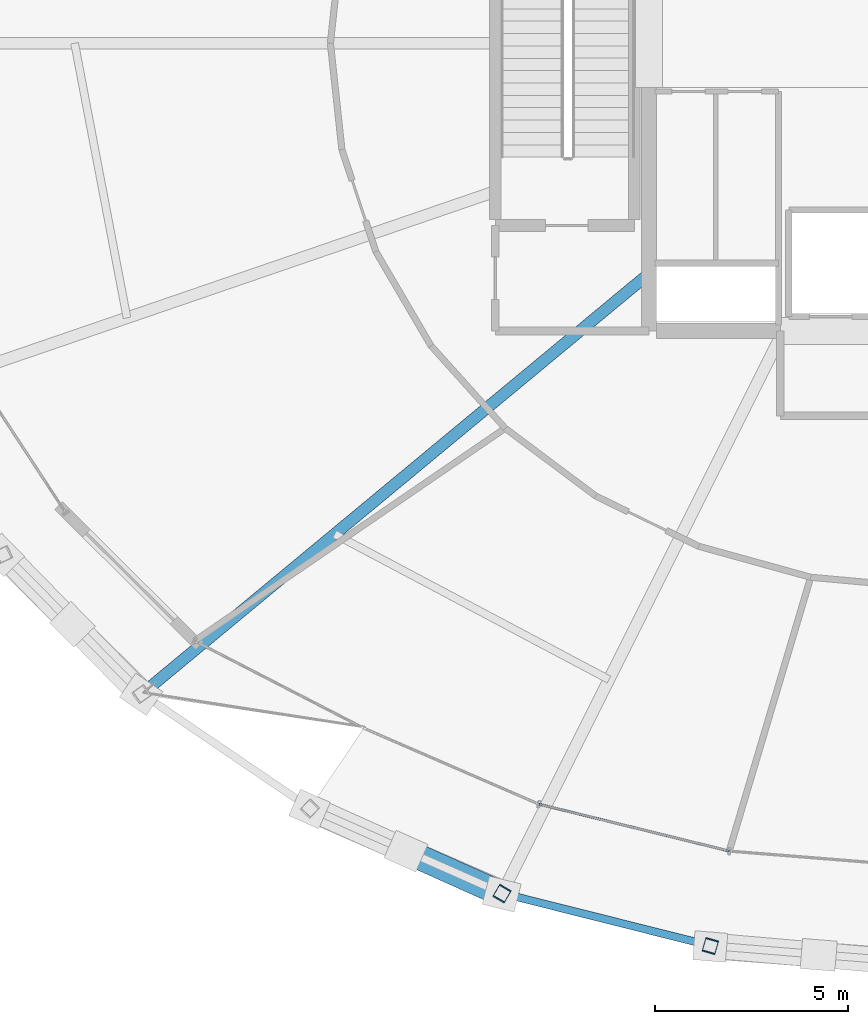
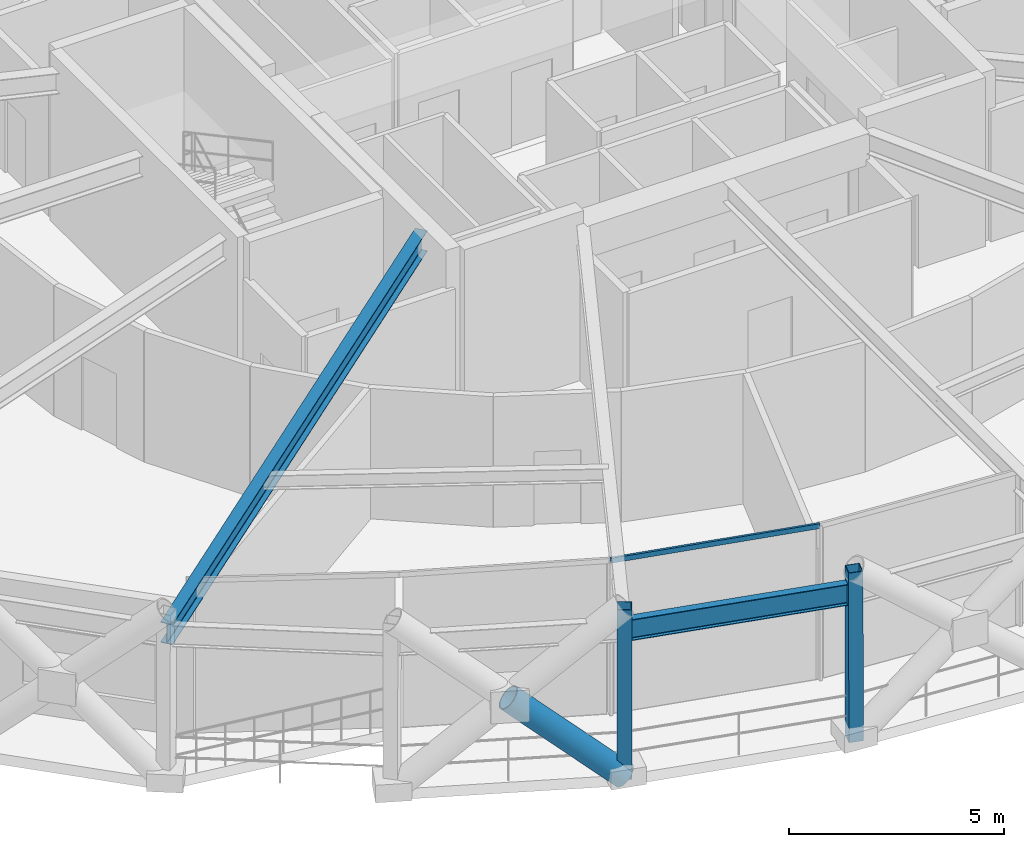
# One storey, part 3 of 39: 4 members, 2 beams, 1 element without a shape of its own.
"""IFC4 building model written with IfcOpenShell, lengths in metres."""

from ifc_helpers import new_model, si_unit, direction, frame, origin, origin_2d, place, context, subcontext, project, spatial, hollow_rectangle, hollow_circle, i_section, extrude, material, layer, layer_set, material_profile, profile_set, type_object, element, aggregate, save


model = new_model("IFC4")

# Units and contexts
model_context = context("Model", 3, precision=1e-05, world=origin(), true_north=direction((0.0, 1.0)))
body_context = subcontext(model_context, "Body", "Model", "MODEL_VIEW")
ifc_project = project(units=[si_unit("LENGTHUNIT", "METRE"), si_unit("AREAUNIT", "SQUARE_METRE"), si_unit("VOLUMEUNIT", "CUBIC_METRE"), si_unit("PLANEANGLEUNIT", "RADIAN"), si_unit("MASSUNIT", "GRAM", prefix="KILO")], contexts=[model_context])

# Site, building, storey
site_placement = place(None, origin())
site = spatial("IfcSite", under=ifc_project, at=site_placement, CompositionType="ELEMENT")
building_placement = place(site_placement, origin())
building = spatial("IfcBuilding", under=site, at=building_placement, Name="Veldorina Hangang Commons", CompositionType="ELEMENT")
storey_placement = place(building_placement, frame((0.0, 0.0, 106.0)))
storey = spatial("IfcBuildingStorey", under=building, at=storey_placement, Name="L27", CompositionType="ELEMENT", Elevation=106.0)

# Beams
ifc_material_1 = material(Name="Steel SM460-TMC", Category="steel")
ifc_material_profile_1 = material_profile(ifc_material_1, i_section(OverallWidth=0.300048828125, OverallDepth=0.587890625, WebThickness=0.011962890625, FlangeThickness=0.02001953125, FilletRadius=0.01806640625, at=origin_2d()), Name="H-588x300x12x20")
ifc_profile_set_1 = profile_set([ifc_material_profile_1], Name="Steel SM460-TMC")
beam_type_1 = type_object("IfcBeamType", Name="BM-FG588", PredefinedType="BEAM", material=ifc_profile_set_1)
beam_1_placement = place(storey_placement, frame((24.800048828125, 18.033447265625, 4.14599609375), z_axis=(-0.769977546462, -0.638070981901, 0.0), x_axis=(0.638070981901, -0.769977546462, 0.0)))
element("IfcBeam", 1, at=beam_1_placement, inside=storey, type_object=beam_type_1, Name="L27 radial floor girder 11", PredefinedType="BEAM", context=body_context, shape_type="SweptSolid", body=[
    extrude(i_section(OverallWidth=0.300048828125, OverallDepth=0.587890625, WebThickness=0.011962890625, FlangeThickness=0.02001953125, FilletRadius=0.01806640625, at=origin_2d()), origin(), (0.0, 0.0, 1.0), 17.052001953125),
])
ifc_material_2 = material(Name="Steel SM420-TMC", Category="steel")
ifc_material_profile_2 = material_profile(ifc_material_2, i_section(OverallWidth=0.199951171875, OverallDepth=0.60009765625, WebThickness=0.010986328125, FlangeThickness=0.01708984375, FilletRadius=0.01806640625, at=origin_2d()), Name="H-600x200x11x17")
ifc_profile_set_2 = profile_set([ifc_material_profile_2], Name="Steel SM420-TMC")
beam_type_2 = type_object("IfcBeamType", Name="BM-RB600", PredefinedType="BEAM", material=ifc_profile_set_2)
beam_2_placement = place(storey_placement, frame((20.997802734375, 1.98828125, 4.139892578125), z_axis=(0.969829219212, -0.243785326798, 0.0), x_axis=(0.243785326798, 0.969829219212, 0.0)))
element("IfcBeam", 2, at=beam_2_placement, inside=storey, type_object=beam_type_2, Name="L27 perimeter hoop ring beam 22", PredefinedType="BEAM", context=body_context, shape_type="SweptSolid", body=[
    extrude(i_section(OverallWidth=0.199951171875, OverallDepth=0.60009765625, WebThickness=0.010986328125, FlangeThickness=0.01708984375, FilletRadius=0.01806640625, at=origin_2d()), origin(), (0.0, 0.0, 1.0), 5.56103515625),
])

# Curtain wall, member
ifc_material_3 = material(Name="Glass Acoustic Laminated", Category="glass")
ifc_layer = layer(ifc_material_3, 0.179931640625)
ifc_layer_set = layer_set([ifc_layer], Name="Glass Acoustic Laminated")
curtain_wall_type = type_object("IfcCurtainWallType", Name="CW-SYS-SKY", PredefinedType="NOTDEFINED", material=ifc_layer_set)
curtain_wall_placement = place(storey_placement, origin())
curtain_wall = element("IfcCurtainWall", 3, at=curtain_wall_placement, inside=storey, type_object=curtain_wall_type, Name="L27 unitised curtain wall CW-L27-R11", PredefinedType="NOTDEFINED")
ifc_material_4 = material(Name="Aluminium Anodized AA6063-T6", Category="aluminium")
ifc_material_profile_3 = material_profile(ifc_material_4, hollow_rectangle(XDim=0.06005859375, YDim=0.139892578125, WallThickness=0.00341796875, at=origin_2d()), Name="ALU-RHS-140x60x3.5")
ifc_profile_set_3 = profile_set([ifc_material_profile_3], Name="Aluminium Anodized AA6063-T6")
member_type_1 = type_object("IfcMemberType", Name="CW-TRN-140", PredefinedType="USERDEFINED", material=ifc_profile_set_3)
member_1_placement = place(storey_placement, frame((21.94970703125, 4.29541015625, 4.360107421875), z_axis=(0.970974491288, -0.23918306225, 0.0), x_axis=(0.23918306225, 0.970974491288, 0.0)))
member_1 = element("IfcMember", 4, at=member_1_placement, type_object=member_type_1, Name="CW-L27-R11 facet 3 transom 1", ObjectType="TRANSOM", PredefinedType="USERDEFINED", context=body_context, shape_type="SweptSolid", body=[
    extrude(hollow_rectangle(XDim=0.06005859375, YDim=0.139892578125, WallThickness=0.00341796875, at=origin_2d()), origin(), (0.0, 0.0, 1.0), 5.073974609375),
])
aggregate(curtain_wall, [member_1])

# Members
ifc_material_profile_4 = material_profile(ifc_material_1, hollow_circle(Radius=0.324951171875, WallThickness=0.031982421875, at=origin_2d()), Name="CHS-650x32")
ifc_profile_set_4 = profile_set([ifc_material_profile_4], Name="Steel SM460-TMC")
member_type_2 = type_object("IfcMemberType", Name="DG-CHS650", PredefinedType="BRACE", material=ifc_profile_set_4)
member_2_placement = place(storey_placement, frame((20.9853515625, 1.96728515625, 0.0), z_axis=(-0.683573689675, 0.307019162837, 0.662167837059), x_axis=(-0.409710929168, -0.912215410153, 0.0)))
element("IfcMember", 5, at=member_2_placement, inside=storey, type_object=member_type_2, Name="L27 split perimeter diagrid lower brace 22", PredefinedType="BRACE", context=body_context, shape_type="SweptSolid", body=[
    extrude(hollow_circle(Radius=0.324951171875, WallThickness=0.031982421875, at=origin_2d()), origin(), (0.0, 0.0, 1.0), 3.626953125),
])
ifc_material_5 = material(Name="Steel SM355-TMC", Category="steel")
ifc_material_profile_5 = material_profile(ifc_material_5, hollow_rectangle(XDim=0.35009765625, YDim=0.35009765625, WallThickness=0.01611328125, at=origin_2d()), Name="SHS-350x350x16")
ifc_profile_set_5 = profile_set([ifc_material_profile_5], Name="Steel SM355-TMC")
member_type_3 = type_object("IfcMemberType", Name="STR-SHS350", PredefinedType="STRUT", material=ifc_profile_set_5)
for number, where, z_axis, x_axis, name in (
    (6, (20.9853515625, 1.96728515625, 0.0), (0.00300081233, 0.005086122593, 0.999982563089), (-0.86126925759, 0.508148861978, 0.0), "L27 perimeter ring node post 22"),
    (7, (26.384765625, 0.610107421875, 0.0), (0.001525839432, 0.005391299328, 0.99998430273), (-0.962206045824, 0.272322465799, 0.0), "L27 perimeter ring node post 23"),
):
    element("IfcMember", number, at=place(storey_placement, frame(where, z_axis=z_axis, x_axis=x_axis)), inside=storey, type_object=member_type_3, Name=name, PredefinedType="STRUT", context=body_context, shape_type="SweptSolid", body=[
        extrude(hollow_rectangle(XDim=0.35009765625, YDim=0.35009765625, WallThickness=0.01611328125, at=origin_2d()), origin(), (0.0, 0.0, 1.0), 4.800048828125),
    ])

save(model, "model.ifc")
